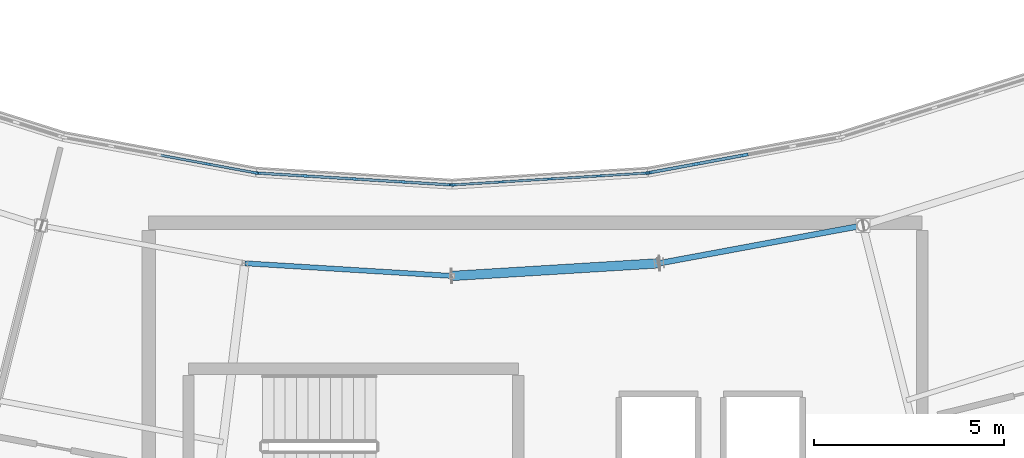
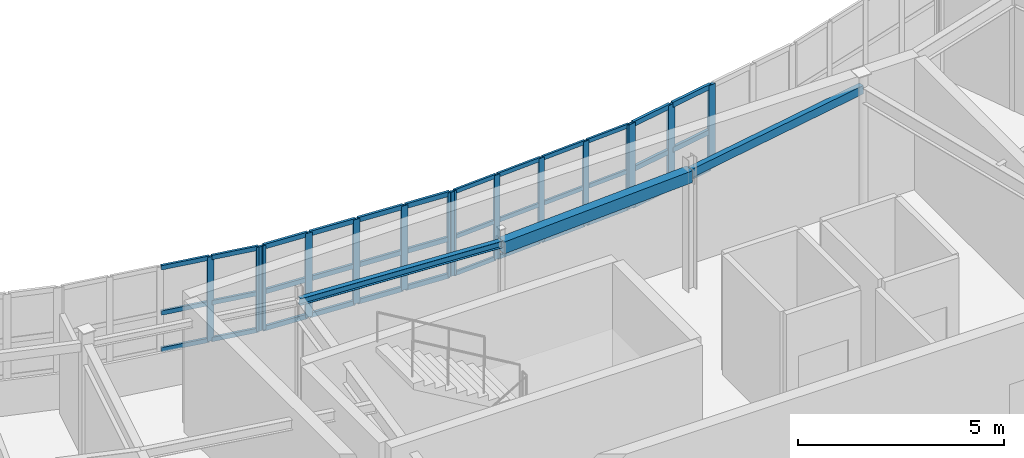
# One storey, part 26 of 79: 51 members, 3 beams, 4 elements without a shape of their own.
"""IFC4 building model written with IfcOpenShell, lengths in metres."""

from ifc_helpers import new_model, si_unit, direction, frame, origin, origin_2d, place, context, subcontext, project, spatial, rectangle, hollow_rectangle, i_section, extrude, material, layer, layer_set, material_profile, profile_set, type_object, element, aggregate, save


model = new_model("IFC4")

# Units and contexts
model_context = context("Model", 3, precision=1e-05, world=origin(), true_north=direction((0.0, 1.0)))
body_context = subcontext(model_context, "Body", "Model", "MODEL_VIEW")
ifc_project = project(units=[si_unit("LENGTHUNIT", "METRE"), si_unit("AREAUNIT", "SQUARE_METRE"), si_unit("VOLUMEUNIT", "CUBIC_METRE"), si_unit("PLANEANGLEUNIT", "RADIAN"), si_unit("MASSUNIT", "GRAM", prefix="KILO")], contexts=[model_context])

# Site, building, storey
site_placement = place(None, origin())
site = spatial("IfcSite", under=ifc_project, at=site_placement, CompositionType="ELEMENT")
building_placement = place(site_placement, origin())
building = spatial("IfcBuilding", under=site, at=building_placement, Name="Tarnwether General Hospital", CompositionType="ELEMENT")
storey_placement = place(building_placement, frame((0.0, 0.0, 18.300048828125)))
storey = spatial("IfcBuildingStorey", under=building, at=storey_placement, Name="L04", CompositionType="ELEMENT", Elevation=18.300048828125)

# Beams
ifc_material_1 = material(Name="Steel Grade 350 (350 MPa)", Category="steel")
ifc_material_profile_1 = material_profile(ifc_material_1, i_section(OverallWidth=0.133056640625, OverallDepth=0.201904296875, WebThickness=0.0048828125, FlangeThickness=0.007080078125, at=origin_2d()), Name="200UB22.3")
ifc_profile_set_1 = profile_set([ifc_material_profile_1], Name="Steel Grade 350 (350 MPa)")
beam_type_1 = type_object("IfcBeamType", Name="BM-SP6", PredefinedType="SPANDREL", material=ifc_profile_set_1)
beam_1_placement = place(storey_placement, frame((86.5400390625, 18.533935546875, 3.458984375), z_axis=(0.998134365538, -0.061055616708, 0.0), x_axis=(0.061055616708, 0.998134365538, 0.0)))
element("IfcBeam", 1, at=beam_1_placement, inside=storey, type_object=beam_type_1, Name="Curved Ward SE Inner Spandrel BMG-L04-8654_1853-9200_1820-2151", PredefinedType="SPANDREL", context=body_context, shape_type="SweptSolid", body=[
    extrude(i_section(OverallWidth=0.133056640625, OverallDepth=0.201904296875, WebThickness=0.0048828125, FlangeThickness=0.007080078125, at=origin_2d()), origin(), (0.0, 0.0, 1.0), 5.47021484375),
])
ifc_material_2 = material(Name="Steel Grade C350L0 (350 MPa)", Category="steel")
ifc_material_profile_2 = material_profile(ifc_material_2, hollow_rectangle(XDim=0.25, YDim=0.35009765625, WallThickness=0.012451171875, at=origin_2d()), Name="RHS350x250x12.5")
ifc_profile_set_2 = profile_set([ifc_material_profile_2], Name="Steel Grade C350L0 (350 MPa)")
beam_type_2 = type_object("IfcBeamType", Name="BM-SP7", PredefinedType="SPANDREL", material=ifc_profile_set_2)
beam_2_placement = place(storey_placement, frame((92.0, 18.199951171875, 3.385009765625), z_axis=(0.998134365538, 0.061055616708, 0.0), x_axis=(-0.061055616708, 0.998134365538, 0.0)))
element("IfcBeam", 2, at=beam_2_placement, inside=storey, type_object=beam_type_2, Name="Curved Ward SE Inner Spandrel BMG-L04-9200_1820-9746_1853-2153", PredefinedType="SPANDREL", context=body_context, shape_type="SweptSolid", body=[
    extrude(hollow_rectangle(XDim=0.25, YDim=0.35009765625, WallThickness=0.012451171875, at=origin_2d()), origin(), (0.0, 0.0, 1.0), 5.47021484375),
])
ifc_material_3 = material(Name="Steel Grade C350L0 (350 MPa)", Category="steel")
ifc_material_profile_3 = material_profile(ifc_material_3, hollow_rectangle(XDim=0.14990234375, YDim=0.25, WallThickness=0.008056640625, at=origin_2d()), Name="RHS250x150x8")
ifc_profile_set_3 = profile_set([ifc_material_profile_3], Name="Steel Grade C350L0 (350 MPa)")
beam_type_3 = type_object("IfcBeamType", Name="BM-SP8", PredefinedType="SPANDREL", material=ifc_profile_set_3)
beam_3_placement = place(storey_placement, frame((97.4599609375, 18.533935546875, 3.43505859375), z_axis=(0.983244096291, 0.18229384825, 0.0), x_axis=(-0.18229384825, 0.983244096291, 0.0)))
element("IfcBeam", 3, at=beam_3_placement, inside=storey, type_object=beam_type_3, Name="Curved Ward SE Inner Spandrel BMG-L04-9746_1853-10284_1953-2155", PredefinedType="SPANDREL", context=body_context, shape_type="SweptSolid", body=[
    extrude(hollow_rectangle(XDim=0.14990234375, YDim=0.25, WallThickness=0.008056640625, at=origin_2d()), origin(), (0.0, 0.0, 1.0), 5.469482421875),
])

# Curtain wall, members
ifc_material_4 = material(Name="Anodised aluminium", Category="aluminium")
ifc_layer = layer(ifc_material_4, 0.159912109375)
ifc_layer_set = layer_set([ifc_layer], Name="Anodised aluminium")
curtain_wall_type = type_object("IfcCurtainWallType", Name="CW-03", PredefinedType="NOTDEFINED", material=ifc_layer_set)
curtain_wall_1_placement = place(storey_placement, origin())
curtain_wall_1 = element("IfcCurtainWall", 4, at=curtain_wall_1_placement, inside=storey, type_object=curtain_wall_type, Name="Curtain Wall CWG-L04-920_206-0206", PredefinedType="NOTDEFINED")
ifc_material_5 = material(Name="Anodised aluminium", Category="aluminium")
ifc_material_profile_4 = material_profile(ifc_material_5, rectangle(XDim=0.06005859375, YDim=0.159912109375, at=origin_2d()), Name="ALU-MUL-60x160")
ifc_profile_set_4 = profile_set([ifc_material_profile_4], Name="Anodised aluminium")
member_type_1 = type_object("IfcMemberType", Name="CW-ML1", PredefinedType="MULLION", material=ifc_profile_set_4)
member_1_placement = place(storey_placement, frame((92.030029296875, 20.601806640625, 1.050048828125), z_axis=(0.0, 0.0, 1.0), x_axis=(-0.06104329354, 0.998135119267, 0.0)))
member_1 = element("IfcMember", 5, at=member_1_placement, type_object=member_type_1, Name="CW-03 mullion 1", PredefinedType="MULLION", context=body_context, shape_type="SweptSolid", body=[
    extrude(rectangle(XDim=0.06005859375, YDim=0.159912109375, at=origin_2d()), origin(), (0.0, 0.0, 1.0), 2.489990234375),
])
member_2_placement = place(storey_placement, frame((93.291748046875, 20.678955078125, 1.050048828125), z_axis=(0.0, 0.0, 1.0), x_axis=(-0.06104329354, 0.998135119267, 0.0)))
member_2 = element("IfcMember", 6, at=member_2_placement, type_object=member_type_1, Name="CW-03 mullion 2", PredefinedType="MULLION", context=body_context, shape_type="SweptSolid", body=[
    extrude(rectangle(XDim=0.06005859375, YDim=0.159912109375, at=origin_2d()), origin(), (0.0, 0.0, 1.0), 2.489990234375),
])
member_3_placement = place(storey_placement, frame((94.58349609375, 20.758056640625, 1.050048828125), z_axis=(0.0, 0.0, 1.0), x_axis=(-0.06104329354, 0.998135119267, 0.0)))
member_3 = element("IfcMember", 7, at=member_3_placement, type_object=member_type_1, Name="CW-03 mullion 3", PredefinedType="MULLION", context=body_context, shape_type="SweptSolid", body=[
    extrude(rectangle(XDim=0.06005859375, YDim=0.159912109375, at=origin_2d()), origin(), (0.0, 0.0, 1.0), 2.489990234375),
])
member_4_placement = place(storey_placement, frame((95.875244140625, 20.8369140625, 1.050048828125), z_axis=(0.0, 0.0, 1.0), x_axis=(-0.06104329354, 0.998135119267, 0.0)))
member_4 = element("IfcMember", 8, at=member_4_placement, type_object=member_type_1, Name="CW-03 mullion 4", PredefinedType="MULLION", context=body_context, shape_type="SweptSolid", body=[
    extrude(rectangle(XDim=0.06005859375, YDim=0.159912109375, at=origin_2d()), origin(), (0.0, 0.0, 1.0), 2.489990234375),
])
member_5_placement = place(storey_placement, frame((97.136962890625, 20.9140625, 1.050048828125), z_axis=(0.0, 0.0, 1.0), x_axis=(-0.06104329354, 0.998135119267, 0.0)))
member_5 = element("IfcMember", 9, at=member_5_placement, type_object=member_type_1, Name="CW-03 mullion 5", PredefinedType="MULLION", context=body_context, shape_type="SweptSolid", body=[
    extrude(rectangle(XDim=0.06005859375, YDim=0.159912109375, at=origin_2d()), origin(), (0.0, 0.0, 1.0), 2.489990234375),
])

curtain_wall_2_placement = place(storey_placement, origin())
curtain_wall_2 = element("IfcCurtainWall", 10, at=curtain_wall_2_placement, inside=storey, type_object=curtain_wall_type, Name="Curtain Wall CWG-L04-868_209-0207", PredefinedType="NOTDEFINED")
ifc_material_6 = material(Name="Anodised aluminium", Category="aluminium")
ifc_material_profile_5 = material_profile(ifc_material_6, rectangle(XDim=0.070068359375, YDim=0.179931640625, at=origin_2d()), Name="ALU-MUL-70x180")
ifc_profile_set_5 = profile_set([ifc_material_profile_5], Name="Anodised aluminium")
member_type_2 = type_object("IfcMemberType", Name="CW-ML2", PredefinedType="MULLION", material=ifc_profile_set_5)
member_6_placement = place(storey_placement, frame((86.867919921875, 20.913818359375, 1.050048828125), z_axis=(0.0, 0.0, 1.0), x_axis=(0.06104329354, 0.998135119267, 0.0)))
member_6 = element("IfcMember", 11, at=member_6_placement, type_object=member_type_2, Name="CW-03 mullion 1", PredefinedType="MULLION", context=body_context, shape_type="SweptSolid", body=[
    extrude(rectangle(XDim=0.070068359375, YDim=0.179931640625, at=origin_2d()), origin(), (0.0, 0.0, 1.0), 2.489990234375),
])
member_7_placement = place(storey_placement, frame((88.124755859375, 20.8369140625, 1.050048828125), z_axis=(0.0, 0.0, 1.0), x_axis=(0.06104329354, 0.998135119267, 0.0)))
member_7 = element("IfcMember", 12, at=member_7_placement, type_object=member_type_2, Name="CW-03 mullion 2", PredefinedType="MULLION", context=body_context, shape_type="SweptSolid", body=[
    extrude(rectangle(XDim=0.070068359375, YDim=0.179931640625, at=origin_2d()), origin(), (0.0, 0.0, 1.0), 2.489990234375),
])
member_8_placement = place(storey_placement, frame((89.41650390625, 20.758056640625, 1.050048828125), z_axis=(0.0, 0.0, 1.0), x_axis=(0.06104329354, 0.998135119267, 0.0)))
member_8 = element("IfcMember", 13, at=member_8_placement, type_object=member_type_2, Name="CW-03 mullion 3", PredefinedType="MULLION", context=body_context, shape_type="SweptSolid", body=[
    extrude(rectangle(XDim=0.070068359375, YDim=0.179931640625, at=origin_2d()), origin(), (0.0, 0.0, 1.0), 2.489990234375),
])
member_9_placement = place(storey_placement, frame((90.708251953125, 20.678955078125, 1.050048828125), z_axis=(0.0, 0.0, 1.0), x_axis=(0.06104329354, 0.998135119267, 0.0)))
member_9 = element("IfcMember", 14, at=member_9_placement, type_object=member_type_2, Name="CW-03 mullion 4", PredefinedType="MULLION", context=body_context, shape_type="SweptSolid", body=[
    extrude(rectangle(XDim=0.070068359375, YDim=0.179931640625, at=origin_2d()), origin(), (0.0, 0.0, 1.0), 2.489990234375),
])
member_10_placement = place(storey_placement, frame((91.965087890625, 20.60205078125, 1.050048828125), z_axis=(0.0, 0.0, 1.0), x_axis=(0.06104329354, 0.998135119267, 0.0)))
member_10 = element("IfcMember", 15, at=member_10_placement, type_object=member_type_2, Name="CW-03 mullion 5", PredefinedType="MULLION", context=body_context, shape_type="SweptSolid", body=[
    extrude(rectangle(XDim=0.070068359375, YDim=0.179931640625, at=origin_2d()), origin(), (0.0, 0.0, 1.0), 2.489990234375),
])

curtain_wall_3_placement = place(storey_placement, origin())
curtain_wall_3 = element("IfcCurtainWall", 16, at=curtain_wall_3_placement, inside=storey, type_object=curtain_wall_type, Name="Curtain Wall CWG-L04-817_219-0208", PredefinedType="NOTDEFINED")
ifc_material_7 = material(Name="Anodised aluminium", Category="aluminium")
ifc_material_profile_6 = material_profile(ifc_material_7, rectangle(XDim=0.06494140625, YDim=0.169921875, at=origin_2d()), Name="ALU-MUL-65x170")
ifc_profile_set_6 = profile_set([ifc_material_profile_6], Name="Anodised aluminium")
member_type_3 = type_object("IfcMemberType", Name="CW-ML3", PredefinedType="MULLION", material=ifc_profile_set_6)
member_11_placement = place(storey_placement, frame((85.560546875, 21.15185546875, 1.050048828125), z_axis=(0.0, 0.0, 1.0), x_axis=(0.182165351666, 0.983267910924, 0.0)))
member_11 = element("IfcMember", 17, at=member_11_placement, type_object=member_type_3, Name="CW-03 mullion 4", PredefinedType="MULLION", context=body_context, shape_type="SweptSolid", body=[
    extrude(rectangle(XDim=0.06494140625, YDim=0.169921875, at=origin_2d()), origin(), (0.0, 0.0, 1.0), 2.489990234375),
])
member_12_placement = place(storey_placement, frame((86.801025390625, 20.921875, 1.050048828125), z_axis=(0.0, 0.0, 1.0), x_axis=(0.182165351666, 0.983267910924, 0.0)))
member_12 = element("IfcMember", 18, at=member_12_placement, type_object=member_type_3, Name="CW-03 mullion 5", PredefinedType="MULLION", context=body_context, shape_type="SweptSolid", body=[
    extrude(rectangle(XDim=0.06494140625, YDim=0.169921875, at=origin_2d()), origin(), (0.0, 0.0, 1.0), 2.489990234375),
])

curtain_wall_4_placement = place(storey_placement, origin())
curtain_wall_4 = element("IfcCurtainWall", 19, at=curtain_wall_4_placement, inside=storey, type_object=curtain_wall_type, Name="Curtain Wall CWG-L04-972_209-0205", PredefinedType="NOTDEFINED")
ifc_material_8 = material(Name="Anodised aluminium", Category="aluminium")
ifc_material_profile_7 = material_profile(ifc_material_8, rectangle(XDim=0.080078125, YDim=0.199951171875, at=origin_2d()), Name="ALU-MUL-80x200")
ifc_profile_set_7 = profile_set([ifc_material_profile_7], Name="Anodised aluminium")
member_type_4 = type_object("IfcMemberType", Name="CW-ML4", PredefinedType="MULLION", material=ifc_profile_set_7)
member_13_placement = place(storey_placement, frame((97.206298828125, 20.92333984375, 1.050048828125), z_axis=(0.0, 0.0, 1.0), x_axis=(-0.182165351666, 0.983267910924, 0.0)))
member_13 = element("IfcMember", 20, at=member_13_placement, type_object=member_type_4, Name="CW-03 mullion 1", PredefinedType="MULLION", context=body_context, shape_type="SweptSolid", body=[
    extrude(rectangle(XDim=0.080078125, YDim=0.199951171875, at=origin_2d()), origin(), (0.0, 0.0, 1.0), 2.489990234375),
])
member_14_placement = place(storey_placement, frame((98.439453125, 21.15185546875, 1.050048828125), z_axis=(0.0, 0.0, 1.0), x_axis=(-0.182165351666, 0.983267910924, 0.0)))
member_14 = element("IfcMember", 21, at=member_14_placement, type_object=member_type_4, Name="CW-03 mullion 2", PredefinedType="MULLION", context=body_context, shape_type="SweptSolid", body=[
    extrude(rectangle(XDim=0.080078125, YDim=0.199951171875, at=origin_2d()), origin(), (0.0, 0.0, 1.0), 2.489990234375),
])
member_15_placement = place(storey_placement, frame((99.7119140625, 21.387451171875, 1.050048828125), z_axis=(0.0, 0.0, 1.0), x_axis=(-0.182165351666, 0.983267910924, 0.0)))
member_15 = element("IfcMember", 22, at=member_15_placement, type_object=member_type_4, Name="CW-03 mullion 3", PredefinedType="MULLION", context=body_context, shape_type="SweptSolid", body=[
    extrude(rectangle(XDim=0.080078125, YDim=0.199951171875, at=origin_2d()), origin(), (0.0, 0.0, 1.0), 2.489990234375),
])

# Member
ifc_material_9 = material(Name="Anodised aluminium", Category="aluminium")
ifc_material_profile_8 = material_profile(ifc_material_9, rectangle(XDim=0.06005859375, YDim=0.1201171875, at=origin_2d()), Name="ALU-TRN-60x120")
ifc_profile_set_8 = profile_set([ifc_material_profile_8], Name="Anodised aluminium")
member_type_5 = type_object("IfcMemberType", Name="CW-TR1", PredefinedType="USERDEFINED", material=ifc_profile_set_8)
member_16_placement = place(storey_placement, frame((92.059814453125, 20.603759765625, 1.079833984375), z_axis=(0.998136077867, 0.061027617192, 0.0), x_axis=(-0.061027617192, 0.998136077867, 0.0)))
member_16 = element("IfcMember", 23, at=member_16_placement, type_object=member_type_5, Name="CW-03 transom 1.1", ObjectType="TRANSOM", PredefinedType="USERDEFINED", context=body_context, shape_type="SweptSolid", body=[
    extrude(rectangle(XDim=0.06005859375, YDim=0.1201171875, at=origin_2d()), origin(), (0.0, 0.0, 1.0), 1.2041015625),
])

member_17_placement = place(storey_placement, frame((92.059814453125, 20.603759765625, 2.17041015625), z_axis=(0.998136077867, 0.061027617192, 0.0), x_axis=(-0.061027617192, 0.998136077867, 0.0)))
member_17 = element("IfcMember", 24, at=member_17_placement, type_object=member_type_5, Name="CW-03 transom 1.2", ObjectType="TRANSOM", PredefinedType="USERDEFINED", context=body_context, shape_type="SweptSolid", body=[
    extrude(rectangle(XDim=0.06005859375, YDim=0.1201171875, at=origin_2d()), origin(), (0.0, 0.0, 1.0), 1.2041015625),
])

member_18_placement = place(storey_placement, frame((92.059814453125, 20.603759765625, 3.510009765625), z_axis=(0.998136077867, 0.061027617192, 0.0), x_axis=(-0.061027617192, 0.998136077867, 0.0)))
member_18 = element("IfcMember", 25, at=member_18_placement, type_object=member_type_5, Name="CW-03 transom 1.3", ObjectType="TRANSOM", PredefinedType="USERDEFINED", context=body_context, shape_type="SweptSolid", body=[
    extrude(rectangle(XDim=0.06005859375, YDim=0.1201171875, at=origin_2d()), origin(), (0.0, 0.0, 1.0), 1.2041015625),
])

member_19_placement = place(storey_placement, frame((93.32177734375, 20.680908203125, 1.079833984375), z_axis=(0.998141608765, 0.060937089296, 0.0), x_axis=(-0.060937089296, 0.998141608765, 0.0)))
member_19 = element("IfcMember", 26, at=member_19_placement, type_object=member_type_5, Name="CW-03 transom 2.1", ObjectType="TRANSOM", PredefinedType="USERDEFINED", context=body_context, shape_type="SweptSolid", body=[
    extrude(rectangle(XDim=0.06005859375, YDim=0.1201171875, at=origin_2d()), origin(), (0.0, 0.0, 1.0), 1.23388671875),
])

member_20_placement = place(storey_placement, frame((93.32177734375, 20.680908203125, 2.17041015625), z_axis=(0.998141608765, 0.060937089296, 0.0), x_axis=(-0.060937089296, 0.998141608765, 0.0)))
member_20 = element("IfcMember", 27, at=member_20_placement, type_object=member_type_5, Name="CW-03 transom 2.2", ObjectType="TRANSOM", PredefinedType="USERDEFINED", context=body_context, shape_type="SweptSolid", body=[
    extrude(rectangle(XDim=0.06005859375, YDim=0.1201171875, at=origin_2d()), origin(), (0.0, 0.0, 1.0), 1.23388671875),
])

member_21_placement = place(storey_placement, frame((93.32177734375, 20.680908203125, 3.510009765625), z_axis=(0.998141608765, 0.060937089296, 0.0), x_axis=(-0.060937089296, 0.998141608765, 0.0)))
member_21 = element("IfcMember", 28, at=member_21_placement, type_object=member_type_5, Name="CW-03 transom 2.3", ObjectType="TRANSOM", PredefinedType="USERDEFINED", context=body_context, shape_type="SweptSolid", body=[
    extrude(rectangle(XDim=0.06005859375, YDim=0.1201171875, at=origin_2d()), origin(), (0.0, 0.0, 1.0), 1.23388671875),
])

member_22_placement = place(storey_placement, frame((94.613525390625, 20.759765625, 1.079833984375), z_axis=(0.998129555591, 0.061134198747, 0.0), x_axis=(-0.061134198747, 0.998129555591, 0.0)))
member_22 = element("IfcMember", 29, at=member_22_placement, type_object=member_type_5, Name="CW-03 transom 3.1", ObjectType="TRANSOM", PredefinedType="USERDEFINED", context=body_context, shape_type="SweptSolid", body=[
    extrude(rectangle(XDim=0.06005859375, YDim=0.1201171875, at=origin_2d()), origin(), (0.0, 0.0, 1.0), 1.23388671875),
])

member_23_placement = place(storey_placement, frame((94.613525390625, 20.759765625, 2.17041015625), z_axis=(0.998129555591, 0.061134198747, 0.0), x_axis=(-0.061134198747, 0.998129555591, 0.0)))
member_23 = element("IfcMember", 30, at=member_23_placement, type_object=member_type_5, Name="CW-03 transom 3.2", ObjectType="TRANSOM", PredefinedType="USERDEFINED", context=body_context, shape_type="SweptSolid", body=[
    extrude(rectangle(XDim=0.06005859375, YDim=0.1201171875, at=origin_2d()), origin(), (0.0, 0.0, 1.0), 1.23388671875),
])

member_24_placement = place(storey_placement, frame((94.613525390625, 20.759765625, 3.510009765625), z_axis=(0.998129555591, 0.061134198747, 0.0), x_axis=(-0.061134198747, 0.998129555591, 0.0)))
member_24 = element("IfcMember", 31, at=member_24_placement, type_object=member_type_5, Name="CW-03 transom 3.3", ObjectType="TRANSOM", PredefinedType="USERDEFINED", context=body_context, shape_type="SweptSolid", body=[
    extrude(rectangle(XDim=0.06005859375, YDim=0.1201171875, at=origin_2d()), origin(), (0.0, 0.0, 1.0), 1.23388671875),
])

member_25_placement = place(storey_placement, frame((95.9052734375, 20.8388671875, 1.079833984375), z_axis=(0.998136077867, 0.061027617192, 0.0), x_axis=(-0.061027617192, 0.998136077867, 0.0)))
member_25 = element("IfcMember", 32, at=member_25_placement, type_object=member_type_5, Name="CW-03 transom 4.1", ObjectType="TRANSOM", PredefinedType="USERDEFINED", context=body_context, shape_type="SweptSolid", body=[
    extrude(rectangle(XDim=0.06005859375, YDim=0.1201171875, at=origin_2d()), origin(), (0.0, 0.0, 1.0), 1.2041015625),
])

member_26_placement = place(storey_placement, frame((95.9052734375, 20.8388671875, 2.17041015625), z_axis=(0.998136077867, 0.061027617192, 0.0), x_axis=(-0.061027617192, 0.998136077867, 0.0)))
member_26 = element("IfcMember", 33, at=member_26_placement, type_object=member_type_5, Name="CW-03 transom 4.2", ObjectType="TRANSOM", PredefinedType="USERDEFINED", context=body_context, shape_type="SweptSolid", body=[
    extrude(rectangle(XDim=0.06005859375, YDim=0.1201171875, at=origin_2d()), origin(), (0.0, 0.0, 1.0), 1.2041015625),
])

member_27_placement = place(storey_placement, frame((95.9052734375, 20.8388671875, 3.510009765625), z_axis=(0.998136077867, 0.061027617192, 0.0), x_axis=(-0.061027617192, 0.998136077867, 0.0)))
member_27 = element("IfcMember", 34, at=member_27_placement, type_object=member_type_5, Name="CW-03 transom 4.3", ObjectType="TRANSOM", PredefinedType="USERDEFINED", context=body_context, shape_type="SweptSolid", body=[
    extrude(rectangle(XDim=0.06005859375, YDim=0.1201171875, at=origin_2d()), origin(), (0.0, 0.0, 1.0), 1.2041015625),
])

aggregate(curtain_wall_1, [member_1, member_2, member_3, member_4, member_5, member_16, member_17, member_18, member_19, member_20, member_21, member_22, member_23, member_24, member_25, member_26, member_27])

ifc_material_10 = material(Name="Anodised aluminium", Category="aluminium")
ifc_material_profile_9 = material_profile(ifc_material_10, rectangle(XDim=0.070068359375, YDim=0.139892578125, at=origin_2d()), Name="ALU-TRN-70x140")
ifc_profile_set_9 = profile_set([ifc_material_profile_9], Name="Anodised aluminium")
member_type_6 = type_object("IfcMemberType", Name="CW-TR2", PredefinedType="USERDEFINED", material=ifc_profile_set_9)
member_28_placement = place(storey_placement, frame((86.90283203125, 20.91162109375, 1.0849609375), z_axis=(0.9981394573, -0.06097231979, 0.0), x_axis=(0.06097231979, 0.9981394573, 0.0)))
member_28 = element("IfcMember", 35, at=member_28_placement, type_object=member_type_6, Name="CW-03 transom 1.1", ObjectType="TRANSOM", PredefinedType="USERDEFINED", context=body_context, shape_type="SweptSolid", body=[
    extrude(rectangle(XDim=0.070068359375, YDim=0.139892578125, at=origin_2d()), origin(), (0.0, 0.0, 1.0), 1.189208984375),
])

member_29_placement = place(storey_placement, frame((86.90283203125, 20.91162109375, 2.17041015625), z_axis=(0.9981394573, -0.06097231979, 0.0), x_axis=(0.06097231979, 0.9981394573, 0.0)))
member_29 = element("IfcMember", 36, at=member_29_placement, type_object=member_type_6, Name="CW-03 transom 1.2", ObjectType="TRANSOM", PredefinedType="USERDEFINED", context=body_context, shape_type="SweptSolid", body=[
    extrude(rectangle(XDim=0.070068359375, YDim=0.139892578125, at=origin_2d()), origin(), (0.0, 0.0, 1.0), 1.189208984375),
])

member_30_placement = place(storey_placement, frame((86.90283203125, 20.91162109375, 3.5048828125), z_axis=(0.9981394573, -0.06097231979, 0.0), x_axis=(0.06097231979, 0.9981394573, 0.0)))
member_30 = element("IfcMember", 37, at=member_30_placement, type_object=member_type_6, Name="CW-03 transom 1.3", ObjectType="TRANSOM", PredefinedType="USERDEFINED", context=body_context, shape_type="SweptSolid", body=[
    extrude(rectangle(XDim=0.070068359375, YDim=0.139892578125, at=origin_2d()), origin(), (0.0, 0.0, 1.0), 1.189208984375),
])

member_31_placement = place(storey_placement, frame((88.15966796875, 20.8349609375, 1.0849609375), z_axis=(0.998136243192, -0.06102491317, 0.0), x_axis=(0.06102491317, 0.998136243192, 0.0)))
member_31 = element("IfcMember", 38, at=member_31_placement, type_object=member_type_6, Name="CW-03 transom 2.1", ObjectType="TRANSOM", PredefinedType="USERDEFINED", context=body_context, shape_type="SweptSolid", body=[
    extrude(rectangle(XDim=0.070068359375, YDim=0.139892578125, at=origin_2d()), origin(), (0.0, 0.0, 1.0), 1.22412109375),
])

member_32_placement = place(storey_placement, frame((88.15966796875, 20.8349609375, 2.17041015625), z_axis=(0.998136243192, -0.06102491317, 0.0), x_axis=(0.06102491317, 0.998136243192, 0.0)))
member_32 = element("IfcMember", 39, at=member_32_placement, type_object=member_type_6, Name="CW-03 transom 2.2", ObjectType="TRANSOM", PredefinedType="USERDEFINED", context=body_context, shape_type="SweptSolid", body=[
    extrude(rectangle(XDim=0.070068359375, YDim=0.139892578125, at=origin_2d()), origin(), (0.0, 0.0, 1.0), 1.22412109375),
])

member_33_placement = place(storey_placement, frame((88.15966796875, 20.8349609375, 3.5048828125), z_axis=(0.998136243192, -0.06102491317, 0.0), x_axis=(0.06102491317, 0.998136243192, 0.0)))
member_33 = element("IfcMember", 40, at=member_33_placement, type_object=member_type_6, Name="CW-03 transom 2.3", ObjectType="TRANSOM", PredefinedType="USERDEFINED", context=body_context, shape_type="SweptSolid", body=[
    extrude(rectangle(XDim=0.070068359375, YDim=0.139892578125, at=origin_2d()), origin(), (0.0, 0.0, 1.0), 1.22412109375),
])

member_34_placement = place(storey_placement, frame((89.451416015625, 20.755859375, 1.0849609375), z_axis=(0.998136243192, -0.06102491317, 0.0), x_axis=(0.06102491317, 0.998136243192, 0.0)))
member_34 = element("IfcMember", 41, at=member_34_placement, type_object=member_type_6, Name="CW-03 transom 3.1", ObjectType="TRANSOM", PredefinedType="USERDEFINED", context=body_context, shape_type="SweptSolid", body=[
    extrude(rectangle(XDim=0.070068359375, YDim=0.139892578125, at=origin_2d()), origin(), (0.0, 0.0, 1.0), 1.22412109375),
])

member_35_placement = place(storey_placement, frame((89.451416015625, 20.755859375, 2.17041015625), z_axis=(0.998136243192, -0.06102491317, 0.0), x_axis=(0.06102491317, 0.998136243192, 0.0)))
member_35 = element("IfcMember", 42, at=member_35_placement, type_object=member_type_6, Name="CW-03 transom 3.2", ObjectType="TRANSOM", PredefinedType="USERDEFINED", context=body_context, shape_type="SweptSolid", body=[
    extrude(rectangle(XDim=0.070068359375, YDim=0.139892578125, at=origin_2d()), origin(), (0.0, 0.0, 1.0), 1.22412109375),
])

member_36_placement = place(storey_placement, frame((89.451416015625, 20.755859375, 3.5048828125), z_axis=(0.998136243192, -0.06102491317, 0.0), x_axis=(0.06102491317, 0.998136243192, 0.0)))
member_36 = element("IfcMember", 43, at=member_36_placement, type_object=member_type_6, Name="CW-03 transom 3.3", ObjectType="TRANSOM", PredefinedType="USERDEFINED", context=body_context, shape_type="SweptSolid", body=[
    extrude(rectangle(XDim=0.070068359375, YDim=0.139892578125, at=origin_2d()), origin(), (0.0, 0.0, 1.0), 1.22412109375),
])

member_37_placement = place(storey_placement, frame((90.7431640625, 20.6767578125, 1.0849609375), z_axis=(0.9981394573, -0.06097231979, 0.0), x_axis=(0.06097231979, 0.9981394573, 0.0)))
member_37 = element("IfcMember", 44, at=member_37_placement, type_object=member_type_6, Name="CW-03 transom 4.1", ObjectType="TRANSOM", PredefinedType="USERDEFINED", context=body_context, shape_type="SweptSolid", body=[
    extrude(rectangle(XDim=0.070068359375, YDim=0.139892578125, at=origin_2d()), origin(), (0.0, 0.0, 1.0), 1.189208984375),
])

member_38_placement = place(storey_placement, frame((90.7431640625, 20.6767578125, 2.17041015625), z_axis=(0.9981394573, -0.06097231979, 0.0), x_axis=(0.06097231979, 0.9981394573, 0.0)))
member_38 = element("IfcMember", 45, at=member_38_placement, type_object=member_type_6, Name="CW-03 transom 4.2", ObjectType="TRANSOM", PredefinedType="USERDEFINED", context=body_context, shape_type="SweptSolid", body=[
    extrude(rectangle(XDim=0.070068359375, YDim=0.139892578125, at=origin_2d()), origin(), (0.0, 0.0, 1.0), 1.189208984375),
])

member_39_placement = place(storey_placement, frame((90.7431640625, 20.6767578125, 3.5048828125), z_axis=(0.9981394573, -0.06097231979, 0.0), x_axis=(0.06097231979, 0.9981394573, 0.0)))
member_39 = element("IfcMember", 46, at=member_39_placement, type_object=member_type_6, Name="CW-03 transom 4.3", ObjectType="TRANSOM", PredefinedType="USERDEFINED", context=body_context, shape_type="SweptSolid", body=[
    extrude(rectangle(XDim=0.070068359375, YDim=0.139892578125, at=origin_2d()), origin(), (0.0, 0.0, 1.0), 1.189208984375),
])

aggregate(curtain_wall_2, [member_6, member_7, member_8, member_9, member_10, member_28, member_29, member_30, member_31, member_32, member_33, member_34, member_35, member_36, member_37, member_38, member_39])

ifc_material_11 = material(Name="Anodised aluminium", Category="aluminium")
ifc_material_profile_10 = material_profile(ifc_material_11, rectangle(XDim=0.06494140625, YDim=0.1298828125, at=origin_2d()), Name="ALU-TRN-65x130")
ifc_profile_set_10 = profile_set([ifc_material_profile_10], Name="Anodised aluminium")
member_type_7 = type_object("IfcMemberType", Name="CW-TR3", PredefinedType="USERDEFINED", material=ifc_profile_set_10)
member_40_placement = place(storey_placement, frame((84.320068359375, 21.381591796875, 1.08251953125), z_axis=(0.983270147702, -0.182153277867, 0.0), x_axis=(0.182153277867, 0.983270147702, 0.0)))
member_40 = element("IfcMember", 47, at=member_40_placement, type_object=member_type_7, Name="CW-03 transom 3.1", ObjectType="TRANSOM", PredefinedType="USERDEFINED", context=body_context, shape_type="SweptSolid", body=[
    extrude(rectangle(XDim=0.06494140625, YDim=0.1298828125, at=origin_2d()), origin(), (0.0, 0.0, 1.0), 1.22900390625),
])

member_41_placement = place(storey_placement, frame((84.320068359375, 21.381591796875, 2.17041015625), z_axis=(0.983270147702, -0.182153277867, 0.0), x_axis=(0.182153277867, 0.983270147702, 0.0)))
member_41 = element("IfcMember", 48, at=member_41_placement, type_object=member_type_7, Name="CW-03 transom 3.2", ObjectType="TRANSOM", PredefinedType="USERDEFINED", context=body_context, shape_type="SweptSolid", body=[
    extrude(rectangle(XDim=0.06494140625, YDim=0.1298828125, at=origin_2d()), origin(), (0.0, 0.0, 1.0), 1.22900390625),
])

member_42_placement = place(storey_placement, frame((84.320068359375, 21.381591796875, 3.507568359375), z_axis=(0.983270147702, -0.182153277867, 0.0), x_axis=(0.182153277867, 0.983270147702, 0.0)))
member_42 = element("IfcMember", 49, at=member_42_placement, type_object=member_type_7, Name="CW-03 transom 3.3", ObjectType="TRANSOM", PredefinedType="USERDEFINED", context=body_context, shape_type="SweptSolid", body=[
    extrude(rectangle(XDim=0.06494140625, YDim=0.1298828125, at=origin_2d()), origin(), (0.0, 0.0, 1.0), 1.22900390625),
])

member_43_placement = place(storey_placement, frame((85.592529296875, 21.145751953125, 1.08251953125), z_axis=(0.983260349414, -0.18220616145, 0.0), x_axis=(0.18220616145, 0.983260349414, 0.0)))
member_43 = element("IfcMember", 50, at=member_43_placement, type_object=member_type_7, Name="CW-03 transom 4.1", ObjectType="TRANSOM", PredefinedType="USERDEFINED", context=body_context, shape_type="SweptSolid", body=[
    extrude(rectangle(XDim=0.06494140625, YDim=0.1298828125, at=origin_2d()), origin(), (0.0, 0.0, 1.0), 1.196533203125),
])

member_44_placement = place(storey_placement, frame((85.592529296875, 21.145751953125, 2.17041015625), z_axis=(0.983260349414, -0.18220616145, 0.0), x_axis=(0.18220616145, 0.983260349414, 0.0)))
member_44 = element("IfcMember", 51, at=member_44_placement, type_object=member_type_7, Name="CW-03 transom 4.2", ObjectType="TRANSOM", PredefinedType="USERDEFINED", context=body_context, shape_type="SweptSolid", body=[
    extrude(rectangle(XDim=0.06494140625, YDim=0.1298828125, at=origin_2d()), origin(), (0.0, 0.0, 1.0), 1.196533203125),
])

member_45_placement = place(storey_placement, frame((85.592529296875, 21.145751953125, 3.507568359375), z_axis=(0.983260349414, -0.18220616145, 0.0), x_axis=(0.18220616145, 0.983260349414, 0.0)))
member_45 = element("IfcMember", 52, at=member_45_placement, type_object=member_type_7, Name="CW-03 transom 4.3", ObjectType="TRANSOM", PredefinedType="USERDEFINED", context=body_context, shape_type="SweptSolid", body=[
    extrude(rectangle(XDim=0.06494140625, YDim=0.1298828125, at=origin_2d()), origin(), (0.0, 0.0, 1.0), 1.196533203125),
])

aggregate(curtain_wall_3, [member_11, member_12, member_40, member_41, member_42, member_43, member_44, member_45])

ifc_material_12 = material(Name="Anodised aluminium", Category="aluminium")
ifc_material_profile_11 = material_profile(ifc_material_12, rectangle(XDim=0.080078125, YDim=0.14990234375, at=origin_2d()), Name="ALU-TRN-80x150")
ifc_profile_set_11 = profile_set([ifc_material_profile_11], Name="Anodised aluminium")
member_type_8 = type_object("IfcMemberType", Name="CW-TR4", PredefinedType="USERDEFINED", material=ifc_profile_set_11)
member_46_placement = place(storey_placement, frame((97.24560546875, 20.9306640625, 1.08984375), z_axis=(0.983272351961, 0.182141378794, 0.0), x_axis=(-0.182141378794, 0.983272351961, 0.0)))
member_46 = element("IfcMember", 53, at=member_46_placement, type_object=member_type_8, Name="CW-03 transom 1.1", ObjectType="TRANSOM", PredefinedType="USERDEFINED", context=body_context, shape_type="SweptSolid", body=[
    extrude(rectangle(XDim=0.080078125, YDim=0.14990234375, at=origin_2d()), origin(), (0.0, 0.0, 1.0), 1.174072265625),
])

member_47_placement = place(storey_placement, frame((97.24560546875, 20.9306640625, 2.17041015625), z_axis=(0.983272351961, 0.182141378794, 0.0), x_axis=(-0.182141378794, 0.983272351961, 0.0)))
member_47 = element("IfcMember", 54, at=member_47_placement, type_object=member_type_8, Name="CW-03 transom 1.2", ObjectType="TRANSOM", PredefinedType="USERDEFINED", context=body_context, shape_type="SweptSolid", body=[
    extrude(rectangle(XDim=0.080078125, YDim=0.14990234375, at=origin_2d()), origin(), (0.0, 0.0, 1.0), 1.174072265625),
])

member_48_placement = place(storey_placement, frame((97.24560546875, 20.9306640625, 3.5), z_axis=(0.983272351961, 0.182141378794, 0.0), x_axis=(-0.182141378794, 0.983272351961, 0.0)))
member_48 = element("IfcMember", 55, at=member_48_placement, type_object=member_type_8, Name="CW-03 transom 1.3", ObjectType="TRANSOM", PredefinedType="USERDEFINED", context=body_context, shape_type="SweptSolid", body=[
    extrude(rectangle(XDim=0.080078125, YDim=0.14990234375, at=origin_2d()), origin(), (0.0, 0.0, 1.0), 1.174072265625),
])

member_49_placement = place(storey_placement, frame((98.478759765625, 21.158935546875, 1.08984375), z_axis=(0.983266000374, 0.182175663873, 0.0), x_axis=(-0.182175663873, 0.983266000374, 0.0)))
member_49 = element("IfcMember", 56, at=member_49_placement, type_object=member_type_8, Name="CW-03 transom 2.1", ObjectType="TRANSOM", PredefinedType="USERDEFINED", context=body_context, shape_type="SweptSolid", body=[
    extrude(rectangle(XDim=0.080078125, YDim=0.14990234375, at=origin_2d()), origin(), (0.0, 0.0, 1.0), 1.214111328125),
])

member_50_placement = place(storey_placement, frame((98.478759765625, 21.158935546875, 2.17041015625), z_axis=(0.983266000374, 0.182175663873, 0.0), x_axis=(-0.182175663873, 0.983266000374, 0.0)))
member_50 = element("IfcMember", 57, at=member_50_placement, type_object=member_type_8, Name="CW-03 transom 2.2", ObjectType="TRANSOM", PredefinedType="USERDEFINED", context=body_context, shape_type="SweptSolid", body=[
    extrude(rectangle(XDim=0.080078125, YDim=0.14990234375, at=origin_2d()), origin(), (0.0, 0.0, 1.0), 1.214111328125),
])

member_51_placement = place(storey_placement, frame((98.478759765625, 21.158935546875, 3.5), z_axis=(0.983266000374, 0.182175663873, 0.0), x_axis=(-0.182175663873, 0.983266000374, 0.0)))
member_51 = element("IfcMember", 58, at=member_51_placement, type_object=member_type_8, Name="CW-03 transom 2.3", ObjectType="TRANSOM", PredefinedType="USERDEFINED", context=body_context, shape_type="SweptSolid", body=[
    extrude(rectangle(XDim=0.080078125, YDim=0.14990234375, at=origin_2d()), origin(), (0.0, 0.0, 1.0), 1.214111328125),
])

aggregate(curtain_wall_4, [member_13, member_14, member_15, member_46, member_47, member_48, member_49, member_50, member_51])

save(model, "model.ifc")
